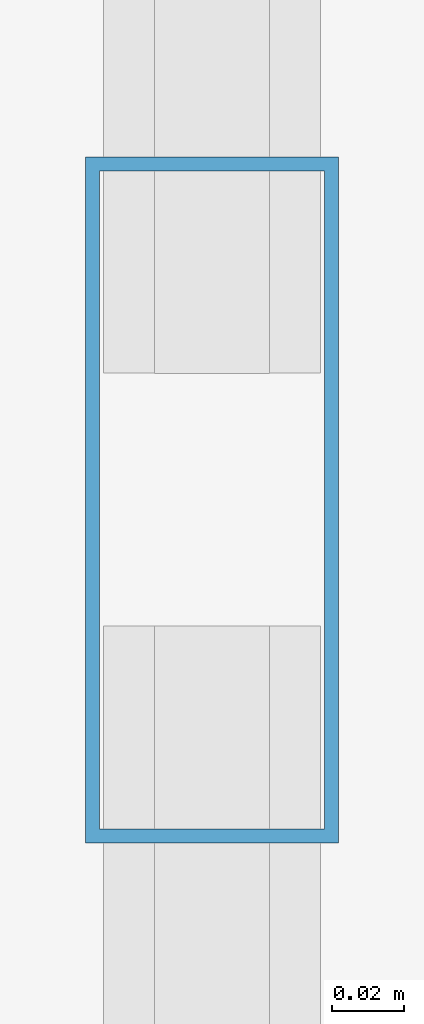
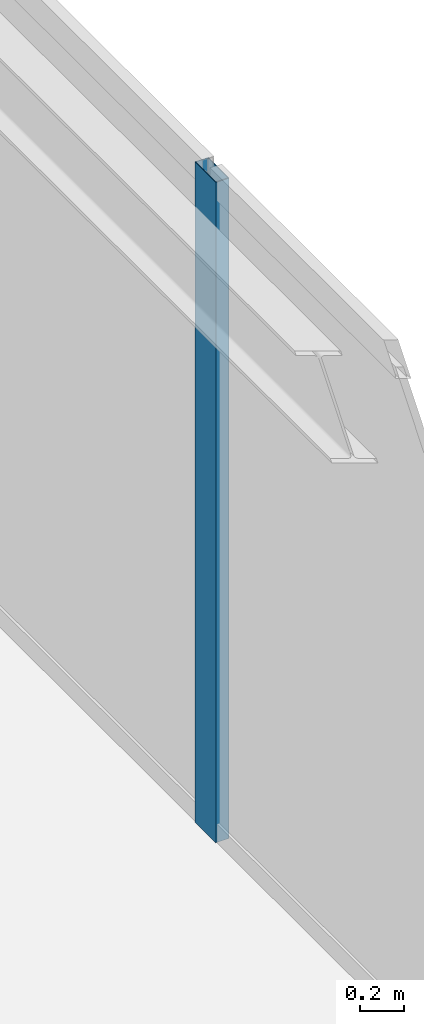
# One storey, part 18 of 31: 1 member, 1 element without a shape of its own.
"""IFC4 building model written with IfcOpenShell, lengths in metres."""

import ifcopenshell
import ifcopenshell.guid

model = None  # the IFC model being written
_history = None  # IfcOwnerHistory: only IFC2X3 demands one
_inside = {}  # id of a spatial element -> (the spatial element, [elements in it])
_under = {}  # id of a project, library or spatial element -> (it, [spatial elements below it])
_declared = {}  # id of a project -> (the project, [libraries it declares])
_typed = {}  # id of a type object -> (the type object, [elements of that type])
_made_of = {}  # id of a material, layer set ... -> (it, [elements and type objects made of it])


def new_model(schema):
    """Start an empty IFC model of exactly this schema.

    Asked for "IFC4X3", IfcOpenShell would pick the latest addendum, in which some entities
    have other attributes; the version numbers below select the first issue.
    IFC2X3 requires an IfcOwnerHistory on every rooted entity: one is made here for all.
    """
    global model, _history
    if schema == "IFC4X3":
        model = ifcopenshell.file(schema_version=(4, 3, 0, 0))
    else:
        model = ifcopenshell.file(schema=schema)
    _inside.clear()
    _under.clear()
    _declared.clear()
    _typed.clear()
    _made_of.clear()
    _history = None
    if model.schema == "IFC2X3":
        org = make("IfcOrganization", Name="unknown")
        user = make(
            "IfcPersonAndOrganization",
            ThePerson=make("IfcPerson", FamilyName="unknown"),
            TheOrganization=org,
        )
        app = make(
            "IfcApplication",
            ApplicationDeveloper=org,
            Version="unknown",
            ApplicationFullName="unknown",
            ApplicationIdentifier="unknown",
        )
        _history = make(
            "IfcOwnerHistory",
            OwningUser=user,
            OwningApplication=app,
            ChangeAction="ADDED",
            CreationDate=0,
        )
    return model


def make(cls, **values):
    """One entity of the class cls with the attributes given. An attribute that is None is left unset."""
    return model.create_entity(
        cls, **{name: value for name, value in values.items() if value is not None}
    )


def rooted(cls, **values):
    """An entity with a GlobalId (a new one), such as an element, a storey or a relation."""
    return make(cls, GlobalId=ifcopenshell.guid.new(), OwnerHistory=_history, **values)


def si_unit(unit_type, name, prefix=None):
    """IfcSIUnit, for example si_unit("LENGTHUNIT", "METRE", prefix="MILLI")."""
    return make("IfcSIUnit", UnitType=unit_type, Prefix=prefix, Name=name)


def assignment(units):
    """IfcUnitAssignment: the units of a project."""
    return None if units is None else make("IfcUnitAssignment", Units=units)


def point(xyz):
    """IfcCartesianPoint."""
    return None if xyz is None else make("IfcCartesianPoint", Coordinates=xyz)


def direction(xyz):
    """IfcDirection."""
    return None if xyz is None else make("IfcDirection", DirectionRatios=xyz)


def frame(location, z_axis=None, x_axis=None):
    """IfcAxis2Placement3D, a coordinate frame: its origin and axes. An axis left out is left unset."""
    return make(
        "IfcAxis2Placement3D",
        Location=point(location),
        Axis=direction(z_axis),
        RefDirection=direction(x_axis),
    )


def frame_2d(location, x_axis=None):
    """IfcAxis2Placement2D, a coordinate frame in the plane: its origin and x axis."""
    return make(
        "IfcAxis2Placement2D", Location=point(location), RefDirection=direction(x_axis)
    )


def origin():
    """The frame at (0, 0, 0) with its axes left unset."""
    return frame((0.0, 0.0, 0.0))


def origin_2d():
    """The frame at (0, 0) in the plane with its x axis left unset."""
    return frame_2d((0.0, 0.0))


def place(relative_to, where):
    """IfcLocalPlacement: puts the frame where relative to a parent placement (None: the world)."""
    return make(
        "IfcLocalPlacement", PlacementRelTo=relative_to, RelativePlacement=where
    )


def context(
    kind, dimensions, precision=None, world=None, true_north=None, identifier=None
):
    """IfcGeometricRepresentationContext, for example the 3D "Model" context."""
    return make(
        "IfcGeometricRepresentationContext",
        ContextIdentifier=identifier,
        ContextType=kind,
        CoordinateSpaceDimension=dimensions,
        Precision=precision,
        WorldCoordinateSystem=world,
        TrueNorth=true_north,
    )


def subcontext(parent, identifier, kind, view, scale=None):
    """IfcGeometricRepresentationSubContext, for example "Body" below "Model"."""
    return make(
        "IfcGeometricRepresentationSubContext",
        ContextIdentifier=identifier,
        ContextType=kind,
        ParentContext=parent,
        TargetScale=scale,
        TargetView=view,
    )


def project(units=None, contexts=None):
    """IfcProject with its units and contexts."""
    return rooted(
        "IfcProject",
        Name="project",
        RepresentationContexts=contexts,
        UnitsInContext=assignment(units),
    )


def spatial(cls, under=None, at=None, **own):
    """A site, building, storey or space (cls), placed at a placement, below another one or the project."""
    s = rooted(cls, ObjectPlacement=at, **own)
    if under is not None:
        _under.setdefault(under.id(), (under, []))[1].append(s)
    return s


def profile(cls, at=None, kind="AREA", **sizes):
    """A parametric profile (cls). Its sizes go by their IFC names, for example OverallWidth=200.0."""
    return make(cls, ProfileType=kind, Position=at, **sizes)


def hollow_rectangle(**sizes):
    """IfcRectangleHollowProfileDef."""
    return profile("IfcRectangleHollowProfileDef", **sizes)


def extrude(swept, where, along, depth):
    """IfcExtrudedAreaSolid: the profile swept, set in the frame where, extruded along a direction by depth."""
    return make(
        "IfcExtrudedAreaSolid",
        SweptArea=swept,
        Position=where,
        ExtrudedDirection=direction(along),
        Depth=depth,
    )


def shape(context_of_items, identifier, shape_type, items):
    """IfcShapeRepresentation: the items that make up one representation, for example the "Body"."""
    return make(
        "IfcShapeRepresentation",
        ContextOfItems=context_of_items,
        RepresentationIdentifier=identifier,
        RepresentationType=shape_type,
        Items=items,
    )


def source(mapping_origin, context_of_items, identifier, shape_type, items):
    """IfcRepresentationMap: a shape defined once, which mapped items show again and again."""
    return make(
        "IfcRepresentationMap",
        MappingOrigin=mapping_origin,
        MappedRepresentation=shape(context_of_items, identifier, shape_type, items),
    )


def transform(
    local_origin,
    x_axis=None,
    y_axis=None,
    z_axis=None,
    scale=None,
    scale2=None,
    scale3=None,
    uniform=True,
):
    """IfcCartesianTransformationOperator3D, or its non-uniform kind. x_axis, y_axis, z_axis: its Axis1, 2, 3."""
    if uniform:
        return make(
            "IfcCartesianTransformationOperator3D",
            Axis1=direction(x_axis),
            Axis2=direction(y_axis),
            LocalOrigin=point(local_origin),
            Scale=scale,
            Axis3=direction(z_axis),
        )
    return make(
        "IfcCartesianTransformationOperator3DnonUniform",
        Axis1=direction(x_axis),
        Axis2=direction(y_axis),
        LocalOrigin=point(local_origin),
        Scale=scale,
        Axis3=direction(z_axis),
        Scale2=scale2,
        Scale3=scale3,
    )


def mapped(mapping_source, mapping_target):
    """IfcMappedItem: shows the shape of a source again, moved by a transform."""
    return make(
        "IfcMappedItem", MappingSource=mapping_source, MappingTarget=mapping_target
    )


def material(Name=None, Category=None):
    """IfcMaterial."""
    return make("IfcMaterial", Name=Name, Category=Category)


def layer(
    of_material, thickness, ventilated=None, Name=None, Category=None, Priority=None
):
    """IfcMaterialLayer: one layer of a wall or slab, of a material (None: an air gap)."""
    return make(
        "IfcMaterialLayer",
        Material=of_material,
        LayerThickness=thickness,
        IsVentilated=ventilated,
        Name=Name,
        Category=Category,
        Priority=Priority,
    )


def layer_set(layers, Name=None):
    """IfcMaterialLayerSet."""
    return make("IfcMaterialLayerSet", MaterialLayers=layers, LayerSetName=Name)


def material_profile(
    of_material, cross_section, Name=None, Category=None, Priority=None
):
    """IfcMaterialProfile: a cross section and its material."""
    return make(
        "IfcMaterialProfile",
        Name=Name,
        Material=of_material,
        Profile=cross_section,
        Priority=Priority,
        Category=Category,
    )


def profile_set(profiles, Name=None, composite=None):
    """IfcMaterialProfileSet."""
    return make(
        "IfcMaterialProfileSet",
        Name=Name,
        MaterialProfiles=profiles,
        CompositeProfile=composite,
    )


def made_of(thing, what):
    """Note that an element or type object is made of a material, layer set ...; save() writes the relation."""
    if what is not None:
        _made_of.setdefault(what.id(), (what, []))[1].append(thing)
    return thing


def type_object(cls, material=None, **own):
    """A type object (cls), such as IfcWallType, which elements share."""
    return made_of(rooted(cls, **own), material)


def type_shapes(of_type, sources):
    """Give a type object the sources (RepresentationMaps) that its elements show as mapped items."""
    of_type.RepresentationMaps = sources


def element(
    cls,
    number,
    at=None,
    inside=None,
    cuts=None,
    type_object=None,
    material=None,
    context=None,
    identifier="Body",
    shape_type=None,
    held_by="IfcProductDefinitionShape",
    body=None,
    shapes=None,
    **own,
):
    """One element of the class cls, such as IfcWall. Its Tag is "e" and its number.

    at: its placement. inside: the storey or other place that contains it. cuts: it is an
    opening in that element (IfcRelVoidsElement). A single representation is given by context,
    identifier, shape_type and body (its items); several are given by shapes. held_by: the class
    of the entity that holds the representations. save() writes the other relations.
    """
    e = rooted(cls, Tag="e%d" % number, ObjectPlacement=at, **own)
    if body is not None:
        shapes = [shape(context, identifier, shape_type, body)]
    if shapes is not None:
        e.Representation = make(held_by, Representations=shapes)
    if inside is not None:
        _inside.setdefault(inside.id(), (inside, []))[1].append(e)
    if cuts is not None:
        rooted(
            "IfcRelVoidsElement", RelatingBuildingElement=cuts, RelatedOpeningElement=e
        )
    if type_object is not None:
        _typed.setdefault(type_object.id(), (type_object, []))[1].append(e)
    return made_of(e, material)


def aggregate(whole, parts):
    """IfcRelAggregates: a whole, such as a stair, and the parts it consists of."""
    return rooted("IfcRelAggregates", RelatingObject=whole, RelatedObjects=parts)


def save(model, path):
    """Write the relations noted so far, then the file.

    IfcRelAggregates (storeys below a building ...), IfcRelContainedInSpatialStructure (elements
    in a storey), IfcRelDefinesByType, IfcRelAssociatesMaterial and IfcRelDeclares: one each for
    every whole, place, type object, material and project.
    """
    for whole, parts in _under.values():
        aggregate(whole, parts)
    for where, things in _inside.values():
        rooted(
            "IfcRelContainedInSpatialStructure",
            RelatedElements=things,
            RelatingStructure=where,
        )
    for kind, things in _typed.values():
        rooted("IfcRelDefinesByType", RelatedObjects=things, RelatingType=kind)
    for what, things in _made_of.values():
        rooted("IfcRelAssociatesMaterial", RelatedObjects=things, RelatingMaterial=what)
    for by, libraries in _declared.values():
        rooted("IfcRelDeclares", RelatingContext=by, RelatedDefinitions=libraries)
    model.write(path)


model = new_model("IFC4")

# Units and contexts
model_context = context("Model", 3, precision=1e-05, world=origin(), true_north=direction((0.0, 1.0)))
body_context = subcontext(model_context, "Body", "Model", "MODEL_VIEW")
ifc_project = project(units=[si_unit("LENGTHUNIT", "METRE"), si_unit("AREAUNIT", "SQUARE_METRE"), si_unit("VOLUMEUNIT", "CUBIC_METRE"), si_unit("PLANEANGLEUNIT", "RADIAN"), si_unit("MASSUNIT", "GRAM", prefix="KILO")], contexts=[model_context])

# Site, building, storey
site_placement = place(None, origin())
site = spatial("IfcSite", under=ifc_project, at=site_placement, CompositionType="ELEMENT")
building_placement = place(site_placement, origin())
building = spatial("IfcBuilding", under=site, at=building_placement, Name="Varnel Quay Broadcast Tower", CompositionType="ELEMENT")
storey_placement = place(building_placement, frame((0.0, 0.0, 51.0)))
storey = spatial("IfcBuildingStorey", under=building, at=storey_placement, Name="L11", CompositionType="ELEMENT", Elevation=51.0)

# Curtain wall, member
ifc_material = material(Name="Anodised Bronze Aluminium 6063-T6", Category="aluminium")
ifc_layer = layer(ifc_material, 0.18994140625, Name="Anodised Bronze Aluminium 6063-T6")
ifc_layer_set = layer_set([ifc_layer], Name="Anodised Bronze Aluminium 6063-T6")
curtain_wall_type = type_object("IfcCurtainWallType", Name="CW_LowerTower", PredefinedType="NOTDEFINED", material=ifc_layer_set)
curtain_wall_placement = place(storey_placement, origin())
curtain_wall = element("IfcCurtainWall", 1, at=curtain_wall_placement, inside=storey, type_object=curtain_wall_type, Name="L11 East Unitised Curtain Wall", PredefinedType="NOTDEFINED")
ifc_material_profile = material_profile(ifc_material, hollow_rectangle(XDim=0.070068359375, YDim=0.18994140625, WallThickness=0.00390625, at=origin_2d()), Name="ALU70X190X4")
ifc_profile_set = profile_set([ifc_material_profile], Name="Anodised Bronze Aluminium 6063-T6")
member_type = type_object("IfcMemberType", Name="Mull_CWS-02", PredefinedType="MULLION", material=ifc_profile_set)
shared_shape = source(origin(), body_context, "Body", "SweptSolid", [
    extrude(hollow_rectangle(XDim=0.070068359375, YDim=0.18994140625, WallThickness=0.00390625, at=origin_2d()), origin(), (0.0, 0.0, 1.0), 3.64990234375),
])
type_shapes(member_type, [shared_shape])
member_placement = place(storey_placement, frame((65.85009765625, 30.39990234375, 0.0), z_axis=(0.0, 0.0, 1.0), x_axis=(-1.0, 0.0, 0.0)))
member = element("IfcMember", 2, at=member_placement, type_object=member_type, Name="CWS-02 mullion 3", PredefinedType="MULLION", context=body_context, shape_type="MappedRepresentation", body=[
    mapped(shared_shape, transform((0.0, 0.0, 0.0), x_axis=(1.0, 0.0, 0.0), y_axis=(0.0, 1.0, 0.0), z_axis=(0.0, 0.0, 1.0), scale=1.0)),
])
aggregate(curtain_wall, [member])

save(model, "model.ifc")
